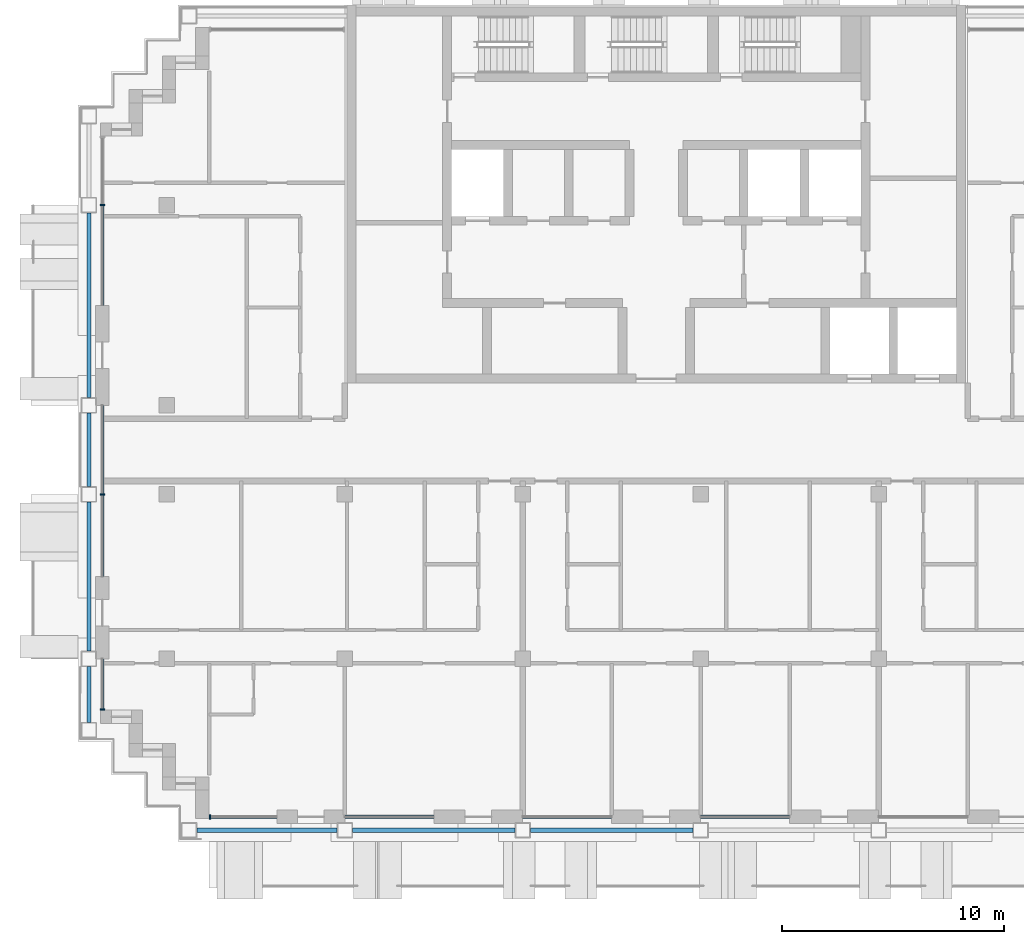
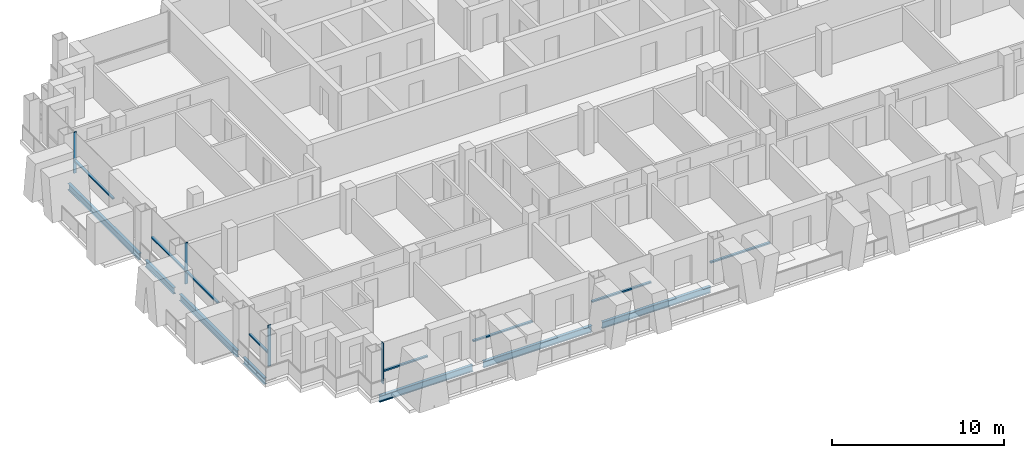
# One storey, part 2 of 16: 12 members, 7 beams, 7 elements without a shape of their own.
"""IFC4 building model written with IfcOpenShell, lengths in metres."""

from ifc_helpers import new_model, si_unit, direction, frame, origin, origin_2d, place, context, subcontext, project, spatial, rectangle, i_section, extrude, material, material_profile, profile_set, type_object, element, aggregate, save


model = new_model("IFC4")

# Units and contexts
model_context = context("Model", 3, precision=1e-05, world=origin(), true_north=direction((0.0, 1.0)))
body_context = subcontext(model_context, "Body", "Model", "MODEL_VIEW")
ifc_project = project(units=[si_unit("LENGTHUNIT", "METRE"), si_unit("AREAUNIT", "SQUARE_METRE"), si_unit("VOLUMEUNIT", "CUBIC_METRE"), si_unit("PLANEANGLEUNIT", "RADIAN"), si_unit("MASSUNIT", "GRAM", prefix="KILO")], contexts=[model_context])

# Site, building, storey
site_placement = place(None, origin())
site = spatial("IfcSite", under=ifc_project, at=site_placement, CompositionType="ELEMENT")
building_placement = place(site_placement, origin())
building = spatial("IfcBuilding", under=site, at=building_placement, Name="Vidyagriha Tower", CompositionType="ELEMENT")
storey_placement = place(building_placement, frame((0.0, 0.0, 168.5)))
storey = spatial("IfcBuildingStorey", under=building, at=storey_placement, Name="L43", CompositionType="ELEMENT", Elevation=168.5)

# Beams
ifc_material_1 = material(Name="Steel ASTM A992 Grade 50", Category="steel")
ifc_material_profile_1 = material_profile(ifc_material_1, i_section(OverallWidth=0.19189453125, OverallDepth=0.46240234375, WebThickness=0.010498046875, FlangeThickness=0.017578125, at=origin_2d()), Name="W18X60")
ifc_profile_set_1 = profile_set([ifc_material_profile_1], Name="Steel ASTM A992 Grade 50")
beam_type = type_object("IfcBeamType", Name="Edge beam W18X60", PredefinedType="SPANDREL", material=ifc_profile_set_1)
beam_1_placement = place(storey_placement, frame((-20.64990234375, -17.10009765625, -0.51123046875), z_axis=(1.0, 0.0, 0.0), x_axis=(0.0, 1.0, 0.0)))
element("IfcBeam", 1, at=beam_1_placement, inside=storey, type_object=beam_type, Name="st-beam-L43-S01", PredefinedType="SPANDREL", context=body_context, shape_type="SweptSolid", body=[
    extrude(i_section(OverallWidth=0.19189453125, OverallDepth=0.46240234375, WebThickness=0.010498046875, FlangeThickness=0.017578125, at=origin_2d()), origin(), (0.0, 0.0, 1.0), 6.2998046875),
])
for number, where, z_axis, x_axis, name in (
    (2, (-13.64990234375, -17.10009765625, -0.51123046875), (1.0, 0.0, 0.0), (0.0, 1.0, 0.0), "st-beam-L43-S02"),
    (3, (-5.64990234375, -17.10009765625, -0.51123046875), (1.0, 0.0, 0.0), (0.0, 1.0, 0.0), "st-beam-L43-S03"),
):
    element("IfcBeam", number, at=place(storey_placement, frame(where, z_axis=z_axis, x_axis=x_axis)), inside=storey, type_object=beam_type, Name=name, PredefinedType="SPANDREL", context=body_context, shape_type="SweptSolid", body=[
        extrude(i_section(OverallWidth=0.19189453125, OverallDepth=0.46240234375, WebThickness=0.010498046875, FlangeThickness=0.017578125, at=origin_2d()), origin(), (0.0, 0.0, 1.0), 7.2998046875),
    ])
beam_2_placement = place(storey_placement, frame((-25.5, -12.25, -0.51123046875), z_axis=(0.0, 1.0, 0.0), x_axis=(-1.0, 0.0, 0.0)))
element("IfcBeam", 4, at=beam_2_placement, inside=storey, type_object=beam_type, Name="st-beam-L43-W08", PredefinedType="SPANDREL", context=body_context, shape_type="SweptSolid", body=[
    extrude(i_section(OverallWidth=0.19189453125, OverallDepth=0.46240234375, WebThickness=0.010498046875, FlangeThickness=0.017578125, at=origin_2d()), origin(), (0.0, 0.0, 1.0), 2.5),
])
beam_3_placement = place(storey_placement, frame((-25.5, -9.050048828125, -0.51123046875), z_axis=(0.0, 1.0, 0.0), x_axis=(-1.0, 0.0, 0.0)))
element("IfcBeam", 5, at=beam_3_placement, inside=storey, type_object=beam_type, Name="st-beam-L43-W09", PredefinedType="SPANDREL", context=body_context, shape_type="SweptSolid", body=[
    extrude(i_section(OverallWidth=0.19189453125, OverallDepth=0.46240234375, WebThickness=0.010498046875, FlangeThickness=0.017578125, at=origin_2d()), origin(), (0.0, 0.0, 1.0), 6.699951171875),
])
beam_4_placement = place(storey_placement, frame((-25.5, -1.64990234375, -0.51123046875), z_axis=(0.0, 1.0, 0.0), x_axis=(-1.0, 0.0, 0.0)))
element("IfcBeam", 6, at=beam_4_placement, inside=storey, type_object=beam_type, Name="st-beam-L43-W10", PredefinedType="SPANDREL", context=body_context, shape_type="SweptSolid", body=[
    extrude(i_section(OverallWidth=0.19189453125, OverallDepth=0.46240234375, WebThickness=0.010498046875, FlangeThickness=0.017578125, at=origin_2d()), origin(), (0.0, 0.0, 1.0), 3.2998046875),
])
beam_5_placement = place(storey_placement, frame((-25.5, 2.35009765625, -0.51123046875), z_axis=(0.0, 1.0, 0.0), x_axis=(-1.0, 0.0, 0.0)))
element("IfcBeam", 7, at=beam_5_placement, inside=storey, type_object=beam_type, Name="st-beam-L43-W11", PredefinedType="SPANDREL", context=body_context, shape_type="SweptSolid", body=[
    extrude(i_section(OverallWidth=0.19189453125, OverallDepth=0.46240234375, WebThickness=0.010498046875, FlangeThickness=0.017578125, at=origin_2d()), origin(), (0.0, 0.0, 1.0), 8.2998046875),
])

# Curtain wall, member
ifc_material_2 = material(Name="Aluminium and glass curtain wall", Category="aluminium")
curtain_wall_type = type_object("IfcCurtainWallType", Name="Dwelling skin unitised curtain wall", PredefinedType="USERDEFINED", material=ifc_material_2)
curtain_wall_1_placement = place(storey_placement, origin())
curtain_wall_1 = element("IfcCurtainWall", 8, at=curtain_wall_1_placement, inside=storey, type_object=curtain_wall_type, Name="CW1 dwelling skin", ObjectType="UNITISED", PredefinedType="USERDEFINED")
ifc_material_3 = material(Name="Aluminium black anodised", Category="aluminium")
ifc_material_profile_2 = material_profile(ifc_material_3, rectangle(XDim=0.199951171875, YDim=0.070068359375, at=origin_2d()), Name="Mullion 70x200 black aluminium")
ifc_profile_set_2 = profile_set([ifc_material_profile_2], Name="Aluminium black anodised")
member_type_1 = type_object("IfcMemberType", Name="Mullion 70x200 black aluminium", PredefinedType="MULLION", material=ifc_profile_set_2)
member_1_placement = place(storey_placement, frame((-24.89990234375, 11.0, 0.0)))
member_1 = element("IfcMember", 9, at=member_1_placement, type_object=member_type_1, Name="CW1 mullion 2", PredefinedType="MULLION", context=body_context, shape_type="SweptSolid", body=[
    extrude(rectangle(XDim=0.199951171875, YDim=0.070068359375, at=origin_2d()), origin(), (0.0, 0.0, 1.0), 2.919921875),
])

curtain_wall_2_placement = place(storey_placement, origin())
curtain_wall_2 = element("IfcCurtainWall", 10, at=curtain_wall_2_placement, inside=storey, type_object=curtain_wall_type, Name="CW1 dwelling skin", ObjectType="UNITISED", PredefinedType="USERDEFINED")
member_2_placement = place(storey_placement, frame((-24.89990234375, -2.0, 0.0)))
member_2 = element("IfcMember", 11, at=member_2_placement, type_object=member_type_1, Name="CW1 mullion 2", PredefinedType="MULLION", context=body_context, shape_type="SweptSolid", body=[
    extrude(rectangle(XDim=0.199951171875, YDim=0.070068359375, at=origin_2d()), origin(), (0.0, 0.0, 1.0), 2.919921875),
])

curtain_wall_3_placement = place(storey_placement, origin())
curtain_wall_3 = element("IfcCurtainWall", 12, at=curtain_wall_3_placement, inside=storey, type_object=curtain_wall_type, Name="CW1 dwelling skin", ObjectType="UNITISED", PredefinedType="USERDEFINED")
member_3_placement = place(storey_placement, frame((-24.89990234375, -11.6650390625, 0.0)))
member_3 = element("IfcMember", 13, at=member_3_placement, type_object=member_type_1, Name="CW1 mullion 2", PredefinedType="MULLION", context=body_context, shape_type="SweptSolid", body=[
    extrude(rectangle(XDim=0.199951171875, YDim=0.070068359375, at=origin_2d()), origin(), (0.0, 0.0, 1.0), 2.919921875),
])

curtain_wall_4_placement = place(storey_placement, origin())
curtain_wall_4 = element("IfcCurtainWall", 14, at=curtain_wall_4_placement, inside=storey, type_object=curtain_wall_type, Name="CW1 dwelling skin", ObjectType="UNITISED", PredefinedType="USERDEFINED")
member_4_placement = place(storey_placement, frame((-20.06494140625, -16.5, 0.0), z_axis=(0.0, 0.0, 1.0), x_axis=(0.0, 1.0, 0.0)))
member_4 = element("IfcMember", 15, at=member_4_placement, type_object=member_type_1, Name="CW1 mullion 1", PredefinedType="MULLION", context=body_context, shape_type="SweptSolid", body=[
    extrude(rectangle(XDim=0.199951171875, YDim=0.070068359375, at=origin_2d()), origin(), (0.0, 0.0, 1.0), 2.919921875),
])

# Member
ifc_material_4 = material(Name="Aluminium black anodised", Category="aluminium")
ifc_material_profile_3 = material_profile(ifc_material_4, rectangle(XDim=0.159912109375, YDim=0.10009765625, at=origin_2d()), Name="Transom 100x160 black aluminium")
ifc_profile_set_3 = profile_set([ifc_material_profile_3], Name="Aluminium black anodised")
member_type_2 = type_object("IfcMemberType", Name="Transom 100x160 black aluminium", PredefinedType="USERDEFINED", material=ifc_profile_set_3)
member_5_placement = place(storey_placement, frame((-24.89990234375, 10.965087890625, 0.89990234375), z_axis=(0.0, -1.0, 0.0), x_axis=(1.0, 0.0, 0.0)))
member_5 = element("IfcMember", 16, at=member_5_placement, type_object=member_type_2, Name="CW1 transom 2.1", ObjectType="TRANSOM", PredefinedType="USERDEFINED", context=body_context, shape_type="SweptSolid", body=[
    extrude(rectangle(XDim=0.159912109375, YDim=0.10009765625, at=origin_2d()), origin(), (0.0, 0.0, 1.0), 4.465087890625),
])

aggregate(curtain_wall_1, [member_1, member_5])

member_6_placement = place(storey_placement, frame((-24.89990234375, 2.0, 0.89990234375), z_axis=(0.0, -1.0, 0.0), x_axis=(1.0, 0.0, 0.0)))
member_6 = element("IfcMember", 17, at=member_6_placement, type_object=member_type_2, Name="CW1 transom 1.1", ObjectType="TRANSOM", PredefinedType="USERDEFINED", context=body_context, shape_type="SweptSolid", body=[
    extrude(rectangle(XDim=0.159912109375, YDim=0.10009765625, at=origin_2d()), origin(), (0.0, 0.0, 1.0), 3.965087890625),
])

member_7_placement = place(storey_placement, frame((-24.89990234375, -2.034912109375, 0.89990234375), z_axis=(0.0, -1.0, 0.0), x_axis=(1.0, 0.0, 0.0)))
member_7 = element("IfcMember", 18, at=member_7_placement, type_object=member_type_2, Name="CW1 transom 2.1", ObjectType="TRANSOM", PredefinedType="USERDEFINED", context=body_context, shape_type="SweptSolid", body=[
    extrude(rectangle(XDim=0.159912109375, YDim=0.10009765625, at=origin_2d()), origin(), (0.0, 0.0, 1.0), 3.6650390625),
])

aggregate(curtain_wall_2, [member_2, member_6, member_7])

member_8_placement = place(storey_placement, frame((-24.89990234375, -9.39990234375, 0.89990234375), z_axis=(0.0, -1.0, 0.0), x_axis=(1.0, 0.0, 0.0)))
member_8 = element("IfcMember", 19, at=member_8_placement, type_object=member_type_2, Name="CW1 transom 1.1", ObjectType="TRANSOM", PredefinedType="USERDEFINED", context=body_context, shape_type="SweptSolid", body=[
    extrude(rectangle(XDim=0.159912109375, YDim=0.10009765625, at=origin_2d()), origin(), (0.0, 0.0, 1.0), 2.22998046875),
])

aggregate(curtain_wall_3, [member_3, member_8])

member_9_placement = place(storey_placement, frame((-20.030029296875, -16.5, 0.89990234375), z_axis=(1.0, 0.0, 0.0), x_axis=(0.0, 1.0, 0.0)))
member_9 = element("IfcMember", 20, at=member_9_placement, type_object=member_type_2, Name="CW1 transom 1.1", ObjectType="TRANSOM", PredefinedType="USERDEFINED", context=body_context, shape_type="SweptSolid", body=[
    extrude(rectangle(XDim=0.159912109375, YDim=0.10009765625, at=origin_2d()), origin(), (0.0, 0.0, 1.0), 2.97998046875),
])

aggregate(curtain_wall_4, [member_4, member_9])

# Curtain wall, member
curtain_wall_5_placement = place(storey_placement, origin())
curtain_wall_5 = element("IfcCurtainWall", 21, at=curtain_wall_5_placement, inside=storey, type_object=curtain_wall_type, Name="CW1 dwelling skin", ObjectType="UNITISED", PredefinedType="USERDEFINED")
member_10_placement = place(storey_placement, frame((-14.0, -16.5, 0.89990234375), z_axis=(1.0, 0.0, 0.0), x_axis=(0.0, 1.0, 0.0)))
member_10 = element("IfcMember", 22, at=member_10_placement, type_object=member_type_2, Name="CW1 transom 1.1", ObjectType="TRANSOM", PredefinedType="USERDEFINED", context=body_context, shape_type="SweptSolid", body=[
    extrude(rectangle(XDim=0.159912109375, YDim=0.10009765625, at=origin_2d()), origin(), (0.0, 0.0, 1.0), 4.0),
])
aggregate(curtain_wall_5, [member_10])

curtain_wall_6_placement = place(storey_placement, origin())
curtain_wall_6 = element("IfcCurtainWall", 23, at=curtain_wall_6_placement, inside=storey, type_object=curtain_wall_type, Name="CW1 dwelling skin", ObjectType="UNITISED", PredefinedType="USERDEFINED")
member_11_placement = place(storey_placement, frame((-6.0, -16.5, 0.89990234375), z_axis=(1.0, 0.0, 0.0), x_axis=(0.0, 1.0, 0.0)))
member_11 = element("IfcMember", 24, at=member_11_placement, type_object=member_type_2, Name="CW1 transom 1.1", ObjectType="TRANSOM", PredefinedType="USERDEFINED", context=body_context, shape_type="SweptSolid", body=[
    extrude(rectangle(XDim=0.159912109375, YDim=0.10009765625, at=origin_2d()), origin(), (0.0, 0.0, 1.0), 4.0),
])
aggregate(curtain_wall_6, [member_11])

curtain_wall_7_placement = place(storey_placement, origin())
curtain_wall_7 = element("IfcCurtainWall", 25, at=curtain_wall_7_placement, inside=storey, type_object=curtain_wall_type, Name="CW1 dwelling skin", ObjectType="UNITISED", PredefinedType="USERDEFINED")
member_12_placement = place(storey_placement, frame((2.0, -16.5, 0.89990234375), z_axis=(1.0, 0.0, 0.0), x_axis=(0.0, 1.0, 0.0)))
member_12 = element("IfcMember", 26, at=member_12_placement, type_object=member_type_2, Name="CW1 transom 1.1", ObjectType="TRANSOM", PredefinedType="USERDEFINED", context=body_context, shape_type="SweptSolid", body=[
    extrude(rectangle(XDim=0.159912109375, YDim=0.10009765625, at=origin_2d()), origin(), (0.0, 0.0, 1.0), 4.0),
])
aggregate(curtain_wall_7, [member_12])

save(model, "model.ifc")
